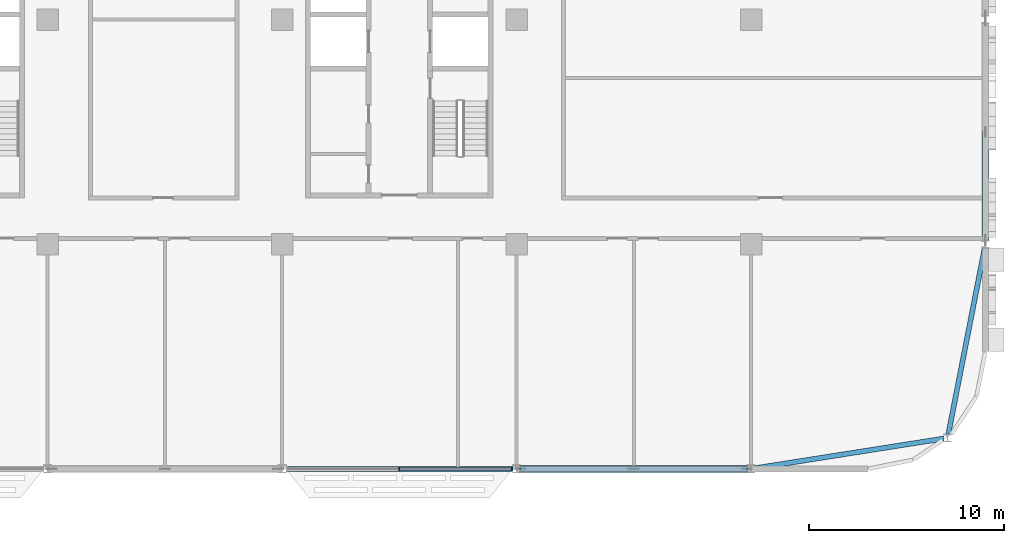
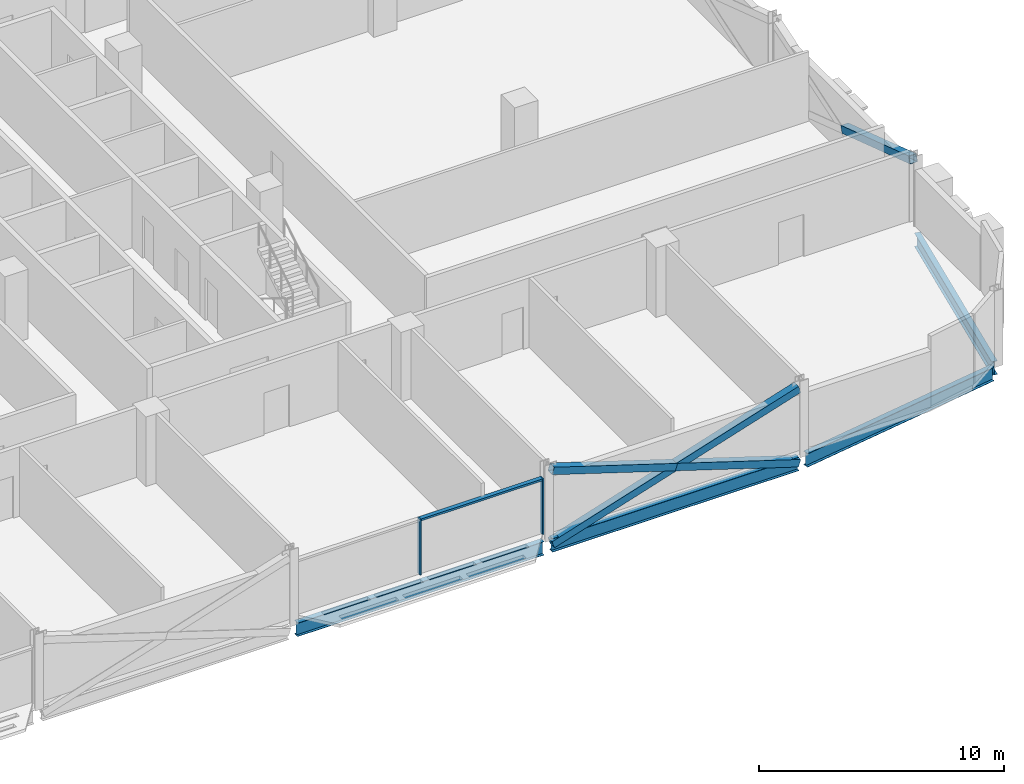
# One storey, part 9 of 30: 7 members, 4 beams, 1 element without a shape of its own.
"""IFC4 building model written with IfcOpenShell, lengths in metres."""

from ifc_helpers import new_model, si_unit, direction, frame, origin, origin_2d, place, context, subcontext, project, spatial, rectangle, hollow_rectangle, i_section, extrude, material, material_profile, profile_set, type_object, element, aggregate, save


model = new_model("IFC4")

# Units and contexts
model_context = context("Model", 3, precision=1e-05, world=origin(), true_north=direction((0.0, 1.0)))
body_context = subcontext(model_context, "Body", "Model", "MODEL_VIEW")
ifc_project = project(units=[si_unit("LENGTHUNIT", "METRE"), si_unit("AREAUNIT", "SQUARE_METRE"), si_unit("VOLUMEUNIT", "CUBIC_METRE"), si_unit("PLANEANGLEUNIT", "RADIAN"), si_unit("MASSUNIT", "GRAM", prefix="KILO")], contexts=[model_context])

# Site, building, storey
site_placement = place(None, origin())
site = spatial("IfcSite", under=ifc_project, at=site_placement, CompositionType="ELEMENT")
building_placement = place(site_placement, origin())
building = spatial("IfcBuilding", under=site, at=building_placement, Name="Mahtab Terrace Research Tower", CompositionType="ELEMENT")
storey_placement = place(building_placement, frame((0.0, 0.0, 201.5)))
storey = spatial("IfcBuildingStorey", under=building, at=storey_placement, Name="L48", CompositionType="ELEMENT", Elevation=201.5)

# Members
ifc_material_1 = material(Name="Steel ASTM A500 Gr C", Category="steel")
ifc_material_profile_1 = material_profile(ifc_material_1, hollow_rectangle(XDim=0.355712890625, YDim=0.355712890625, WallThickness=0.015869140625, at=origin_2d()), Name="HSS14X14X5/8")
ifc_profile_set_1 = profile_set([ifc_material_profile_1], Name="Steel ASTM A500 Gr C")
member_type_1 = type_object("IfcMemberType", Name="HSS 14x14x5/8 brace XB141458", PredefinedType="BRACE", material=ifc_profile_set_1)
member_1_placement = place(storey_placement, frame((30.20068359375, -23.0, -0.615478515625), z_axis=(0.953343380425, 0.0, 0.301888057067), x_axis=(0.0, 1.0, 0.0)))
element("IfcMember", 1, at=member_1_placement, inside=storey, type_object=member_type_1, Name="Exoskeleton brace L48 19 a", PredefinedType="BRACE", context=body_context, shape_type="SweptSolid", body=[
    extrude(hollow_rectangle(XDim=0.355712890625, YDim=0.355712890625, WallThickness=0.015869140625, at=origin_2d()), origin(), (0.0, 0.0, 1.0), 12.166259765625),
])
for number, where, z_axis, x_axis, name in (
    (2, (41.79931640625, -23.0, -0.615478515625), (-0.953343380425, 0.0, 0.301888057067), (0.0, -1.0, 0.0), "Exoskeleton brace L48 19 b1"),
    (3, (36.0, -23.0, 1.220947265625), (-0.953343380425, 0.0, 0.301888057067), (0.0, -1.0, 0.0), "Exoskeleton brace L48 19 b2"),
):
    element("IfcMember", number, at=place(storey_placement, frame(where, z_axis=z_axis, x_axis=x_axis)), inside=storey, type_object=member_type_1, Name=name, PredefinedType="BRACE", context=body_context, shape_type="SweptSolid", body=[
        extrude(hollow_rectangle(XDim=0.355712890625, YDim=0.355712890625, WallThickness=0.015869140625, at=origin_2d()), origin(), (0.0, 0.0, 1.0), 6.083251953125),
    ])
member_2_placement = place(storey_placement, frame((54.0, -5.75, 1.220947265625), z_axis=(0.0, -0.949511130933, 0.313733345748), x_axis=(1.0, 0.0, 0.0)))
element("IfcMember", 4, at=member_2_placement, inside=storey, type_object=member_type_1, Name="Exoskeleton brace L48 22 b2", PredefinedType="BRACE", context=body_context, shape_type="SweptSolid", body=[
    extrude(hollow_rectangle(XDim=0.355712890625, YDim=0.355712890625, WallThickness=0.015869140625, at=origin_2d()), origin(), (0.0, 0.0, 1.0), 5.845703125),
])

# Curtain wall, members
ifc_material_2 = material(Name="Laboratory ribbon curtain wall")
curtain_wall_type = type_object("IfcCurtainWallType", Name="Laboratory ribbon curtain wall", PredefinedType="NOTDEFINED", material=ifc_material_2)
curtain_wall_placement = place(storey_placement, origin())
curtain_wall = element("IfcCurtainWall", 5, at=curtain_wall_placement, inside=storey, type_object=curtain_wall_type, Name="EN.L48.13.28", PredefinedType="NOTDEFINED")
ifc_material_3 = material(Name="Natural anodised aluminium", Category="aluminium")
ifc_material_profile_2 = material_profile(ifc_material_3, rectangle(XDim=0.199951171875, YDim=0.06494140625, at=origin_2d()), Name="MULLION 65x200")
ifc_profile_set_2 = profile_set([ifc_material_profile_2], Name="Natural anodised aluminium")
member_type_2 = type_object("IfcMemberType", Name="Laboratory ribbon curtain wall mullion", PredefinedType="MULLION", material=ifc_profile_set_2)
member_3_placement = place(storey_placement, frame((24.0, -23.0, 0.0), z_axis=(0.0, 0.0, 1.0), x_axis=(0.0, 1.0, 0.0)))
member_3 = element("IfcMember", 6, at=member_3_placement, type_object=member_type_2, Name="CWL-6 mullion 2", PredefinedType="MULLION", context=body_context, shape_type="SweptSolid", body=[
    extrude(rectangle(XDim=0.199951171875, YDim=0.06494140625, at=origin_2d()), origin(), (0.0, 0.0, 1.0), 2.78173828125),
])
member_4_placement = place(storey_placement, frame((29.767578125, -23.0, 0.0), z_axis=(0.0, 0.0, 1.0), x_axis=(0.0, 1.0, 0.0)))
member_4 = element("IfcMember", 7, at=member_4_placement, type_object=member_type_2, Name="CWL-6 mullion 3", PredefinedType="MULLION", context=body_context, shape_type="SweptSolid", body=[
    extrude(rectangle(XDim=0.199951171875, YDim=0.06494140625, at=origin_2d()), origin(), (0.0, 0.0, 1.0), 2.78173828125),
])
ifc_material_profile_3 = material_profile(ifc_material_3, rectangle(XDim=0.199951171875, YDim=0.10009765625, at=origin_2d()), Name="TRANSOM 100x200")
ifc_profile_set_3 = profile_set([ifc_material_profile_3], Name="Natural anodised aluminium")
member_type_3 = type_object("IfcMemberType", Name="Laboratory ribbon curtain wall transom", PredefinedType="USERDEFINED", material=ifc_profile_set_3)
member_5_placement = place(storey_placement, frame((24.032470703125, -23.0, 2.731689453125), z_axis=(1.0, 0.0, 0.0), x_axis=(0.0, 1.0, 0.0)))
member_5 = element("IfcMember", 8, at=member_5_placement, type_object=member_type_3, Name="CWL-6 transom 2", ObjectType="TRANSOM", PredefinedType="USERDEFINED", context=body_context, shape_type="SweptSolid", body=[
    extrude(rectangle(XDim=0.199951171875, YDim=0.10009765625, at=origin_2d()), origin(), (0.0, 0.0, 1.0), 5.70263671875),
])
aggregate(curtain_wall, [member_3, member_4, member_5])

# Beams
ifc_material_4 = material(Name="Steel ASTM A992 Gr 50", Category="steel")
ifc_material_profile_4 = material_profile(ifc_material_4, i_section(OverallWidth=0.25390625, OverallDepth=0.67822265625, WebThickness=0.01171875, FlangeThickness=0.016357421875, at=origin_2d()), Name="W27X84")
ifc_profile_set_4 = profile_set([ifc_material_profile_4], Name="Steel ASTM A992 Gr 50")
beam_type = type_object("IfcBeamType", Name="W27x84 beam BS2784", PredefinedType="BEAM", material=ifc_profile_set_4)
for number, where, z_axis, x_axis, name in (
    (9, (18.20068359375, -23.0, -0.67919921875), (1.0, 0.0, 0.0), (0.0, 1.0, 0.0), "Spandrel beam L48 18"),
    (10, (30.20068359375, -23.0, -0.67919921875), (1.0, 0.0, 0.0), (0.0, 1.0, 0.0), "Spandrel beam L48 19"),
):
    element("IfcBeam", number, at=place(storey_placement, frame(where, z_axis=z_axis, x_axis=x_axis)), inside=storey, type_object=beam_type, Name=name, PredefinedType="BEAM", context=body_context, shape_type="SweptSolid", body=[
        extrude(i_section(OverallWidth=0.25390625, OverallDepth=0.67822265625, WebThickness=0.01171875, FlangeThickness=0.016357421875, at=origin_2d()), origin(), (0.0, 0.0, 1.0), 11.5986328125),
    ])
beam_1_placement = place(storey_placement, frame((42.20068359375, -22.968505859375, -0.67919921875), z_axis=(0.987831689273, 0.155526697604, 0.0), x_axis=(-0.155526697604, 0.987831689273, 0.0)))
element("IfcBeam", 11, at=beam_1_placement, inside=storey, type_object=beam_type, Name="Spandrel beam L48 20", PredefinedType="BEAM", context=body_context, shape_type="SweptSolid", body=[
    extrude(i_section(OverallWidth=0.25390625, OverallDepth=0.67822265625, WebThickness=0.01171875, FlangeThickness=0.016357421875, at=origin_2d()), origin(), (0.0, 0.0, 1.0), 9.779541015625),
])
beam_2_placement = place(storey_placement, frame((52.10107421875, -21.216552734375, -0.67919921875), z_axis=(0.191795474732, 0.981434916779, 0.0), x_axis=(-0.981434916779, 0.191795474732, 0.0)))
element("IfcBeam", 12, at=beam_2_placement, inside=storey, type_object=beam_type, Name="Spandrel beam L48 21", PredefinedType="BEAM", context=body_context, shape_type="SweptSolid", body=[
    extrude(i_section(OverallWidth=0.25390625, OverallDepth=0.67822265625, WebThickness=0.01171875, FlangeThickness=0.016357421875, at=origin_2d()), origin(), (0.0, 0.0, 1.0), 9.697021484375),
])

save(model, "model.ifc")
